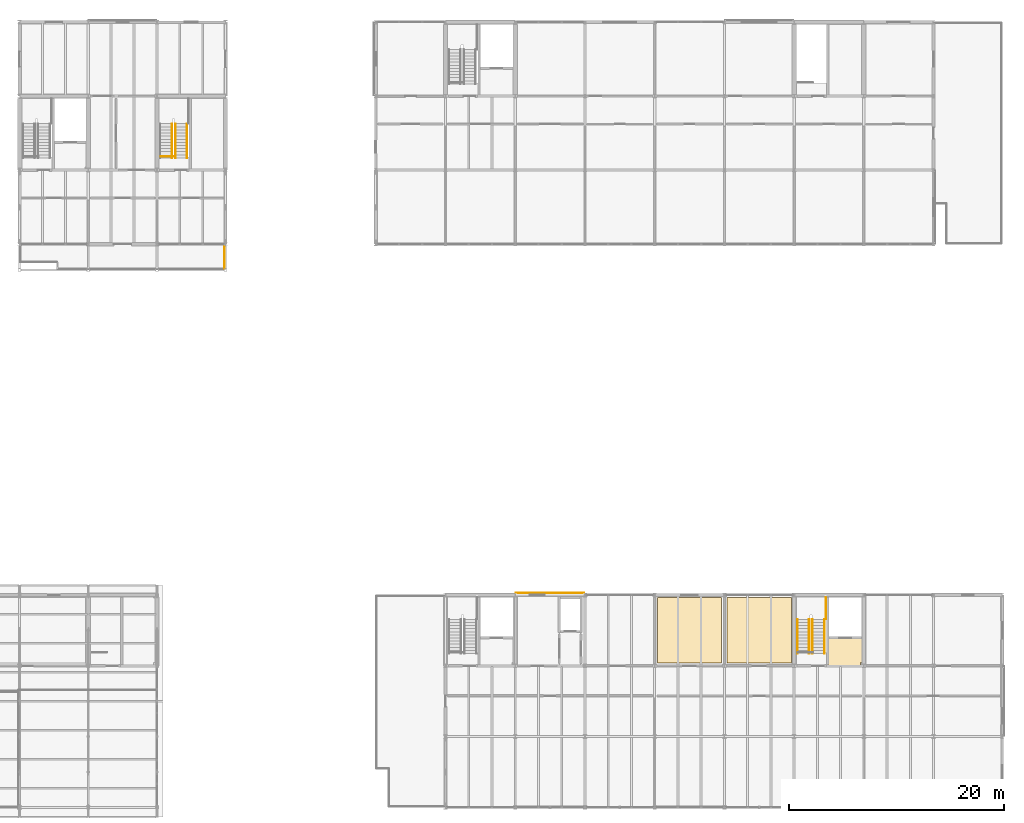
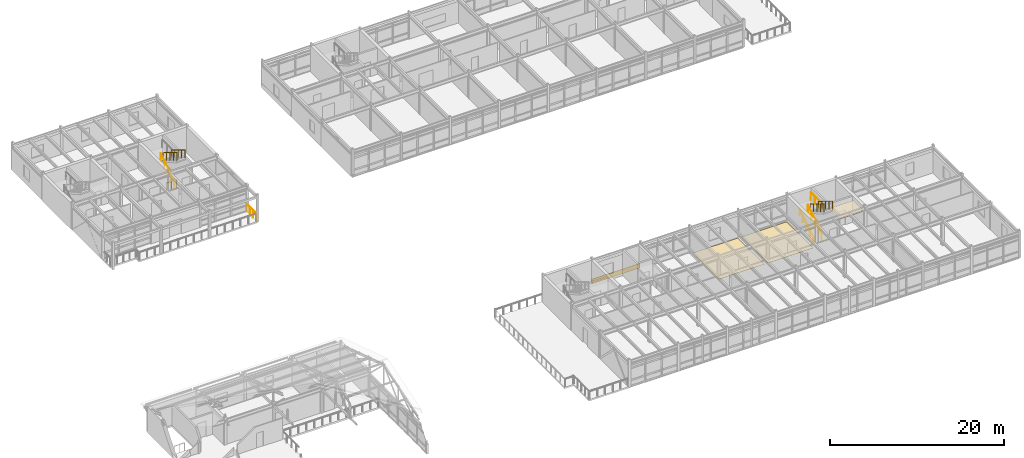
# One storey, part 55 of 57: 10 railings, 4 coverings.
"""IFC4 building model written with IfcOpenShell, lengths in metres."""

from ifc_helpers import new_model, si_unit, direction, frame, origin, origin_2d, place, context, subcontext, project, spatial, polyline, rectangle, circle, outline, extrude, material, layer, layer_set, type_object, element, save


model = new_model("IFC4")

# Units and contexts
model_context = context("Model", 3, precision=1e-05, world=origin(), true_north=direction((0.0, 1.0)))
body_context = subcontext(model_context, "Body", "Model", "MODEL_VIEW")
ifc_project = project(units=[si_unit("LENGTHUNIT", "METRE"), si_unit("AREAUNIT", "SQUARE_METRE"), si_unit("VOLUMEUNIT", "CUBIC_METRE"), si_unit("PLANEANGLEUNIT", "RADIAN"), si_unit("MASSUNIT", "GRAM", prefix="KILO")], contexts=[model_context])

# Site, building, storey
site_placement = place(None, origin())
site = spatial("IfcSite", under=ifc_project, at=site_placement, CompositionType="ELEMENT")
building_placement = place(site_placement, origin())
building = spatial("IfcBuilding", under=site, at=building_placement, Name="Trelmorton Wharf Fire Station", CompositionType="ELEMENT")
storey_placement = place(building_placement, frame((0.0, 0.0, 13.5)))
storey = spatial("IfcBuildingStorey", under=building, at=storey_placement, Name="L03", CompositionType="ELEMENT", Elevation=13.5)

# Coverings
ifc_material_1 = material(Name="Mineral fibre acoustic ceiling")
ifc_layer_1 = layer(ifc_material_1, 0.02001953125)
ifc_layer_set_1 = layer_set([ifc_layer_1], Name="Mineral fibre acoustic ceiling")
covering_type_1 = type_object("IfcCoveringType", Name="CV_CEIL_ACOU", PredefinedType="CEILING", material=ifc_layer_set_1)
covering_1_placement = place(storey_placement, frame((0.0, 0.0, 2.97998046875)))
element("IfcCovering", 1, at=covering_1_placement, inside=storey, type_object=covering_type_1, Name="CV-CLG-026", PredefinedType="CEILING", context=body_context, shape_type="SweptSolid", body=[
    extrude(outline(polyline([(146.159912109375, 21.0400390625), (146.159912109375, 23.56005859375), (149.4599609375, 23.56005859375), (149.4599609375, 21.300048828125), (149.199951171875, 21.300048828125), (149.199951171875, 21.0400390625), (146.159912109375, 21.0400390625)])), origin(), (0.0, 0.0, 1.0), 0.02001953125),
])
ifc_material_2 = material(Name="Architectural terracotta cladding", Category="masonry")
ifc_layer_2 = layer(ifc_material_2, 0.044921875)
ifc_layer_set_2 = layer_set([ifc_layer_2], Name="Architectural terracotta cladding")
covering_type_2 = type_object("IfcCoveringType", Name="CV_CLAD_TER", PredefinedType="CLADDING", material=ifc_layer_set_2)
covering_2_placement = place(storey_placement, frame((120.25, 27.764892578125, 0.0302734375), z_axis=(0.0, 0.0, 1.0), x_axis=(1.0, 0.0, 0.0)))
element("IfcCovering", 2, at=covering_2_placement, inside=storey, type_object=covering_type_2, Name="CV-TER-0015", PredefinedType="CLADDING", context=body_context, shape_type="SweptSolid", body=[
    extrude(rectangle(XDim=6.3701171875, YDim=0.044921875, at=origin_2d()), origin(), (0.0, 0.0, 1.0), 0.659912109375),
])
ifc_material_3 = material(Name="Quarry tile wet-area flooring")
ifc_layer_3 = layer(ifc_material_3, 0.02001953125)
ifc_layer_set_3 = layer_set([ifc_layer_3], Name="Quarry tile wet-area flooring")
covering_type_3 = type_object("IfcCoveringType", Name="CV_FLOR_TILE", PredefinedType="FLOORING", material=ifc_layer_set_3)
covering_3_placement = place(storey_placement, origin())
element("IfcCovering", 3, at=covering_3_placement, inside=storey, type_object=covering_type_3, Name="CV-FLR-014", PredefinedType="FLOORING", context=body_context, shape_type="SweptSolid", body=[
    extrude(outline(polyline([(136.25, 21.25), (136.25, 27.35009765625), (130.25, 27.35009765625), (130.25, 21.25), (136.25, 21.25)])), origin(), (0.0, 0.0, 1.0), 0.02001953125),
])
covering_4_placement = place(storey_placement, origin())
element("IfcCovering", 4, at=covering_4_placement, inside=storey, type_object=covering_type_3, Name="CV-FLR-015", PredefinedType="FLOORING", context=body_context, shape_type="SweptSolid", body=[
    extrude(outline(polyline([(142.75, 21.25), (142.75, 27.35009765625), (136.75, 27.35009765625), (136.75, 21.25), (142.75, 21.25)])), origin(), (0.0, 0.0, 1.0), 0.02001953125),
])

# Railings
ifc_material_4 = material(Name="Signal-red architectural steel Grade 350", Category="steel")
railing_type_1 = type_object("IfcRailingType", Name="RL_BAL_RED", PredefinedType="BALUSTRADE", material=ifc_material_4)
railing_1_placement = place(storey_placement, frame((89.919921875, 58.02001953125, 0.0)))
element("IfcRailing", 5, at=railing_1_placement, inside=storey, type_object=railing_type_1, Name="RL-DECK-L03-066", PredefinedType="BALUSTRADE", context=body_context, shape_type="SweptSolid", body=[
    extrude(circle(Radius=0.02392578125, at=origin_2d()), frame((0.0, 0.0, 1.09619140625), z_axis=(0.0, 1.0, 0.0), x_axis=(-1.0, 0.0, 0.0)), (0.0, 0.0, 1.0), 2.239990234375),
    extrude(circle(Radius=0.02099609375, at=origin_2d()), origin(), (0.0, 0.0, 1.0), 1.072021484375),
    extrude(circle(Radius=0.02099609375, at=origin_2d()), frame((0.0, 0.74658203125, 0.0)), (0.0, 0.0, 1.0), 1.072021484375),
    extrude(circle(Radius=0.02099609375, at=origin_2d()), frame((0.0, 1.493408203125, 0.0)), (0.0, 0.0, 1.0), 1.072021484375),
    extrude(circle(Radius=0.02099609375, at=origin_2d()), frame((0.0, 2.239990234375, 0.0)), (0.0, 0.0, 1.0), 1.072021484375),
])
ifc_material_5 = material(Name="Stainless steel 316 marine grade", Category="steel")
railing_type_2 = type_object("IfcRailingType", Name="RL_HAND_900", PredefinedType="HANDRAIL", material=ifc_material_5)
railing_2_placement = place(storey_placement, frame((143.31005859375, 22.139892578125, 0.0)))
element("IfcRailing", 6, at=railing_2_placement, inside=storey, type_object=railing_type_2, Name="RL-HR1-STR-C4-L03-16", PredefinedType="HANDRAIL", context=body_context, shape_type="SweptSolid", body=[
    extrude(circle(Radius=0.02099609375, at=origin_2d()), frame((0.0, 0.0, 0.87890625), z_axis=(0.0, 0.853235021851, 0.521526602856), x_axis=(-1.0, 0.0, 0.0)), (0.0, 0.0, 1.0), 3.739013671875),
    extrude(circle(Radius=0.02099609375, at=origin_2d()), origin(), (0.0, 0.0, 1.0), 0.85791015625),
    extrude(circle(Radius=0.02099609375, at=origin_2d()), frame((0.0, 0.797607421875, 0.487548828125)), (0.0, 0.0, 1.0), 0.85791015625),
    extrude(circle(Radius=0.02099609375, at=origin_2d()), frame((0.0, 1.59521484375, 0.97509765625)), (0.0, 0.0, 1.0), 0.85791015625),
    extrude(circle(Radius=0.02099609375, at=origin_2d()), frame((0.0, 2.392578125, 1.46240234375)), (0.0, 0.0, 1.0), 0.85791015625),
    extrude(circle(Radius=0.02099609375, at=origin_2d()), frame((0.0, 3.190185546875, 1.949951171875)), (0.0, 0.0, 1.0), 0.85791015625),
])
railing_type_3 = type_object("IfcRailingType", Name="RL_WELL_1100", PredefinedType="BALUSTRADE", material=ifc_material_5)
railing_3_placement = place(storey_placement, frame((145.955078125, 27.35498046875, 1.949951171875)))
element("IfcRailing", 7, at=railing_3_placement, inside=storey, type_object=railing_type_3, Name="RL-GW-OUT1-STR-C4-L03-16", PredefinedType="BALUSTRADE", context=body_context, shape_type="SweptSolid", body=[
    extrude(circle(Radius=0.02392578125, at=origin_2d()), frame((0.0, 0.0, 1.09619140625), z_axis=(0.0, -1.0, 0.0), x_axis=(1.0, 0.0, 0.0)), (0.0, 0.0, 1.0), 1.98486328125),
    extrude(circle(Radius=0.02099609375, at=origin_2d()), origin(), (0.0, 0.0, 1.0), 1.072021484375),
    extrude(circle(Radius=0.02099609375, at=origin_2d()), frame((0.0, -0.992431640625, 0.0)), (0.0, 0.0, 1.0), 1.072021484375),
    extrude(circle(Radius=0.02099609375, at=origin_2d()), frame((0.0, -1.98486328125, 0.0)), (0.0, 0.0, 1.0), 1.072021484375),
])
railing_4_placement = place(storey_placement, frame((145.81005859375, 25.330078125, 1.949951171875)))
element("IfcRailing", 8, at=railing_4_placement, inside=storey, type_object=railing_type_3, Name="RL-GW-OUT2-STR-C4-L03-16", PredefinedType="BALUSTRADE", context=body_context, shape_type="SweptSolid", body=[
    extrude(circle(Radius=0.02392578125, at=origin_2d()), frame((0.0, 0.0, 1.09619140625), z_axis=(0.0, -0.853235021851, 0.521526602856), x_axis=(1.0, 0.0, 0.0)), (0.0, 0.0, 1.0), 3.739013671875),
    extrude(circle(Radius=0.02099609375, at=origin_2d()), origin(), (0.0, 0.0, 1.0), 1.072021484375),
    extrude(circle(Radius=0.02099609375, at=origin_2d()), frame((0.0, -0.797607421875, 0.487548828125)), (0.0, 0.0, 1.0), 1.072021484375),
    extrude(circle(Radius=0.02099609375, at=origin_2d()), frame((0.0, -1.59521484375, 0.97509765625)), (0.0, 0.0, 1.0), 1.072021484375),
    extrude(circle(Radius=0.02099609375, at=origin_2d()), frame((0.0, -2.392578125, 1.46240234375)), (0.0, 0.0, 1.0), 1.072021484375),
    extrude(circle(Radius=0.02099609375, at=origin_2d()), frame((0.0, -3.190185546875, 1.949951171875)), (0.0, 0.0, 1.0), 1.072021484375),
])
railing_5_placement = place(storey_placement, frame((144.409912109375, 22.139892578125, 0.0)))
element("IfcRailing", 9, at=railing_5_placement, inside=storey, type_object=railing_type_3, Name="RL-GW-IN1-STR-C4-L03-16", PredefinedType="BALUSTRADE", context=body_context, shape_type="SweptSolid", body=[
    extrude(circle(Radius=0.02392578125, at=origin_2d()), frame((0.0, 0.0, 1.09619140625), z_axis=(0.0, 0.853235021851, 0.521526602856), x_axis=(-1.0, 0.0, 0.0)), (0.0, 0.0, 1.0), 3.739013671875),
    extrude(circle(Radius=0.02099609375, at=origin_2d()), origin(), (0.0, 0.0, 1.0), 1.072021484375),
    extrude(circle(Radius=0.02099609375, at=origin_2d()), frame((0.0, 0.797607421875, 0.487548828125)), (0.0, 0.0, 1.0), 1.072021484375),
    extrude(circle(Radius=0.02099609375, at=origin_2d()), frame((0.0, 1.59521484375, 0.97509765625)), (0.0, 0.0, 1.0), 1.072021484375),
    extrude(circle(Radius=0.02099609375, at=origin_2d()), frame((0.0, 2.392578125, 1.46240234375)), (0.0, 0.0, 1.0), 1.072021484375),
    extrude(circle(Radius=0.02099609375, at=origin_2d()), frame((0.0, 3.190185546875, 1.949951171875)), (0.0, 0.0, 1.0), 1.072021484375),
])
railing_6_placement = place(storey_placement, frame((144.7099609375, 25.330078125, 1.949951171875)))
element("IfcRailing", 10, at=railing_6_placement, inside=storey, type_object=railing_type_3, Name="RL-GW-IN2-STR-C4-L03-16", PredefinedType="BALUSTRADE", context=body_context, shape_type="SweptSolid", body=[
    extrude(circle(Radius=0.02392578125, at=origin_2d()), frame((0.0, 0.0, 1.09619140625), z_axis=(0.0, -0.853235021851, 0.521526602856), x_axis=(1.0, 0.0, 0.0)), (0.0, 0.0, 1.0), 3.739013671875),
    extrude(circle(Radius=0.02099609375, at=origin_2d()), origin(), (0.0, 0.0, 1.0), 1.072021484375),
    extrude(circle(Radius=0.02099609375, at=origin_2d()), frame((0.0, -0.797607421875, 0.487548828125)), (0.0, 0.0, 1.0), 1.072021484375),
    extrude(circle(Radius=0.02099609375, at=origin_2d()), frame((0.0, -1.59521484375, 0.97509765625)), (0.0, 0.0, 1.0), 1.072021484375),
    extrude(circle(Radius=0.02099609375, at=origin_2d()), frame((0.0, -2.392578125, 1.46240234375)), (0.0, 0.0, 1.0), 1.072021484375),
    extrude(circle(Radius=0.02099609375, at=origin_2d()), frame((0.0, -3.190185546875, 1.949951171875)), (0.0, 0.0, 1.0), 1.072021484375),
])
railing_7_placement = place(storey_placement, frame((83.9599609375, 68.4599609375, 0.0)))
element("IfcRailing", 11, at=railing_7_placement, inside=storey, type_object=railing_type_3, Name="RL-UPWELL-STR-C6B-L02-29", PredefinedType="BALUSTRADE", context=body_context, shape_type="SweptSolid", body=[
    extrude(circle(Radius=0.02392578125, at=origin_2d()), frame((0.0, 0.0, 1.09619140625), z_axis=(1.0, 0.0, 0.0), x_axis=(0.0, 1.0, 0.0)), (0.0, 0.0, 1.0), 1.380126953125),
    extrude(circle(Radius=0.02099609375, at=origin_2d()), origin(), (0.0, 0.0, 1.0), 1.072021484375),
    extrude(circle(Radius=0.02099609375, at=origin_2d()), frame((0.68994140625, 0.0, 0.0)), (0.0, 0.0, 1.0), 1.072021484375),
    extrude(circle(Radius=0.02099609375, at=origin_2d()), frame((1.380126953125, 0.0, 0.0)), (0.0, 0.0, 1.0), 1.072021484375),
])
railing_8_placement = place(storey_placement, frame((86.409912109375, 71.530029296875, 1.949951171875)))
element("IfcRailing", 12, at=railing_8_placement, inside=storey, type_object=railing_type_3, Name="RL-GW-OUT2-STR-C6B-L03-30", PredefinedType="BALUSTRADE", context=body_context, shape_type="SweptSolid", body=[
    extrude(circle(Radius=0.02392578125, at=origin_2d()), frame((0.0, 0.0, 1.09619140625), z_axis=(0.0, -0.853217260254, 0.521555660313), x_axis=(1.0, 0.0, 0.0)), (0.0, 0.0, 1.0), 3.73876953125),
    extrude(circle(Radius=0.02099609375, at=origin_2d()), origin(), (0.0, 0.0, 1.0), 1.072021484375),
    extrude(circle(Radius=0.02099609375, at=origin_2d()), frame((0.0, -0.79736328125, 0.487548828125)), (0.0, 0.0, 1.0), 1.072021484375),
    extrude(circle(Radius=0.02099609375, at=origin_2d()), frame((0.0, -1.594970703125, 0.97509765625)), (0.0, 0.0, 1.0), 1.072021484375),
    extrude(circle(Radius=0.02099609375, at=origin_2d()), frame((0.0, -2.392578125, 1.46240234375)), (0.0, 0.0, 1.0), 1.072021484375),
    extrude(circle(Radius=0.02099609375, at=origin_2d()), frame((0.0, -3.18994140625, 1.949951171875)), (0.0, 0.0, 1.0), 1.072021484375),
])
railing_9_placement = place(storey_placement, frame((85.010009765625, 68.340087890625, 0.0)))
element("IfcRailing", 13, at=railing_9_placement, inside=storey, type_object=railing_type_3, Name="RL-GW-IN1-STR-C6B-L03-30", PredefinedType="BALUSTRADE", context=body_context, shape_type="SweptSolid", body=[
    extrude(circle(Radius=0.02392578125, at=origin_2d()), frame((0.0, 0.0, 1.09619140625), z_axis=(0.0, 0.853217260254, 0.521555660313), x_axis=(-1.0, 0.0, 0.0)), (0.0, 0.0, 1.0), 3.73876953125),
    extrude(circle(Radius=0.02099609375, at=origin_2d()), origin(), (0.0, 0.0, 1.0), 1.072021484375),
    extrude(circle(Radius=0.02099609375, at=origin_2d()), frame((0.0, 0.79736328125, 0.487548828125)), (0.0, 0.0, 1.0), 1.072021484375),
    extrude(circle(Radius=0.02099609375, at=origin_2d()), frame((0.0, 1.594970703125, 0.97509765625)), (0.0, 0.0, 1.0), 1.072021484375),
    extrude(circle(Radius=0.02099609375, at=origin_2d()), frame((0.0, 2.392578125, 1.46240234375)), (0.0, 0.0, 1.0), 1.072021484375),
    extrude(circle(Radius=0.02099609375, at=origin_2d()), frame((0.0, 3.18994140625, 1.949951171875)), (0.0, 0.0, 1.0), 1.072021484375),
])
railing_10_placement = place(storey_placement, frame((85.31005859375, 71.530029296875, 1.949951171875)))
element("IfcRailing", 14, at=railing_10_placement, inside=storey, type_object=railing_type_3, Name="RL-GW-IN2-STR-C6B-L03-30", PredefinedType="BALUSTRADE", context=body_context, shape_type="SweptSolid", body=[
    extrude(circle(Radius=0.02392578125, at=origin_2d()), frame((0.0, 0.0, 1.09619140625), z_axis=(0.0, -0.853217260254, 0.521555660313), x_axis=(1.0, 0.0, 0.0)), (0.0, 0.0, 1.0), 3.73876953125),
    extrude(circle(Radius=0.02099609375, at=origin_2d()), origin(), (0.0, 0.0, 1.0), 1.072021484375),
    extrude(circle(Radius=0.02099609375, at=origin_2d()), frame((0.0, -0.79736328125, 0.487548828125)), (0.0, 0.0, 1.0), 1.072021484375),
    extrude(circle(Radius=0.02099609375, at=origin_2d()), frame((0.0, -1.594970703125, 0.97509765625)), (0.0, 0.0, 1.0), 1.072021484375),
    extrude(circle(Radius=0.02099609375, at=origin_2d()), frame((0.0, -2.392578125, 1.46240234375)), (0.0, 0.0, 1.0), 1.072021484375),
    extrude(circle(Radius=0.02099609375, at=origin_2d()), frame((0.0, -3.18994140625, 1.949951171875)), (0.0, 0.0, 1.0), 1.072021484375),
])

save(model, "model.ifc")
